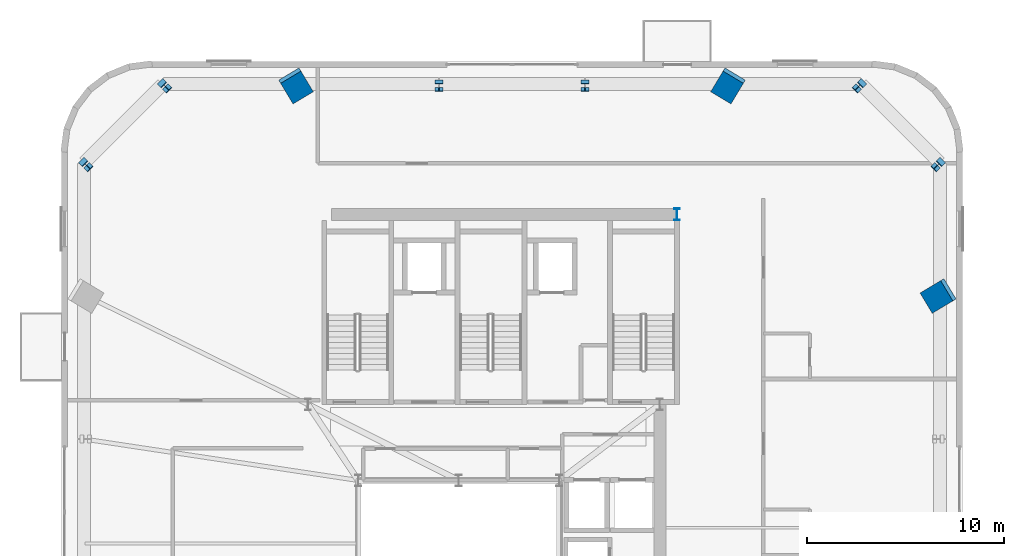
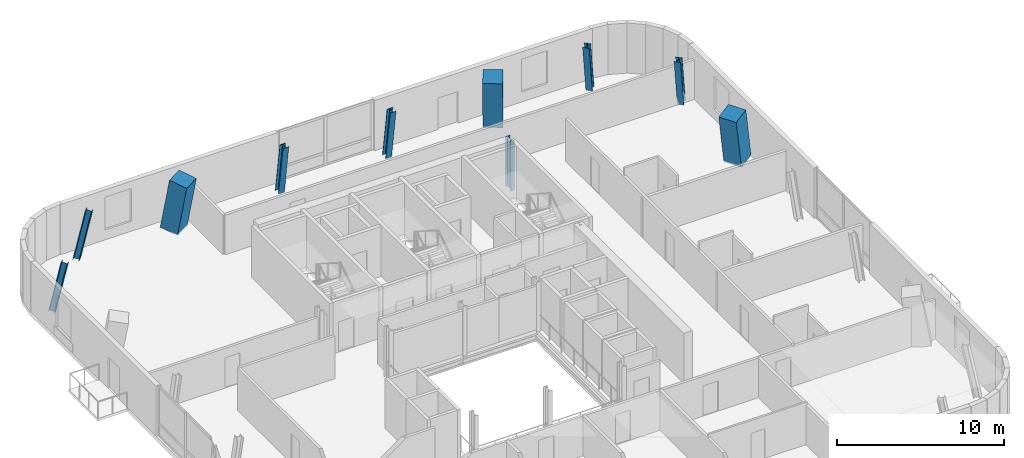
# One storey, part 2 of 15: 10 columns.
"""IFC4 building model written with IfcOpenShell, lengths in metres."""

import ifcopenshell
import ifcopenshell.guid

model = None  # the IFC model being written
_history = None  # IfcOwnerHistory: only IFC2X3 demands one
_inside = {}  # id of a spatial element -> (the spatial element, [elements in it])
_under = {}  # id of a project, library or spatial element -> (it, [spatial elements below it])
_declared = {}  # id of a project -> (the project, [libraries it declares])
_typed = {}  # id of a type object -> (the type object, [elements of that type])
_made_of = {}  # id of a material, layer set ... -> (it, [elements and type objects made of it])


def new_model(schema):
    """Start an empty IFC model of exactly this schema.

    Asked for "IFC4X3", IfcOpenShell would pick the latest addendum, in which some entities
    have other attributes; the version numbers below select the first issue.
    IFC2X3 requires an IfcOwnerHistory on every rooted entity: one is made here for all.
    """
    global model, _history
    if schema == "IFC4X3":
        model = ifcopenshell.file(schema_version=(4, 3, 0, 0))
    else:
        model = ifcopenshell.file(schema=schema)
    _inside.clear()
    _under.clear()
    _declared.clear()
    _typed.clear()
    _made_of.clear()
    _history = None
    if model.schema == "IFC2X3":
        org = make("IfcOrganization", Name="unknown")
        user = make(
            "IfcPersonAndOrganization",
            ThePerson=make("IfcPerson", FamilyName="unknown"),
            TheOrganization=org,
        )
        app = make(
            "IfcApplication",
            ApplicationDeveloper=org,
            Version="unknown",
            ApplicationFullName="unknown",
            ApplicationIdentifier="unknown",
        )
        _history = make(
            "IfcOwnerHistory",
            OwningUser=user,
            OwningApplication=app,
            ChangeAction="ADDED",
            CreationDate=0,
        )
    return model


def make(cls, **values):
    """One entity of the class cls with the attributes given. An attribute that is None is left unset."""
    return model.create_entity(
        cls, **{name: value for name, value in values.items() if value is not None}
    )


def rooted(cls, **values):
    """An entity with a GlobalId (a new one), such as an element, a storey or a relation."""
    return make(cls, GlobalId=ifcopenshell.guid.new(), OwnerHistory=_history, **values)


def si_unit(unit_type, name, prefix=None):
    """IfcSIUnit, for example si_unit("LENGTHUNIT", "METRE", prefix="MILLI")."""
    return make("IfcSIUnit", UnitType=unit_type, Prefix=prefix, Name=name)


def assignment(units):
    """IfcUnitAssignment: the units of a project."""
    return None if units is None else make("IfcUnitAssignment", Units=units)


def point(xyz):
    """IfcCartesianPoint."""
    return None if xyz is None else make("IfcCartesianPoint", Coordinates=xyz)


def direction(xyz):
    """IfcDirection."""
    return None if xyz is None else make("IfcDirection", DirectionRatios=xyz)


def frame(location, z_axis=None, x_axis=None):
    """IfcAxis2Placement3D, a coordinate frame: its origin and axes. An axis left out is left unset."""
    return make(
        "IfcAxis2Placement3D",
        Location=point(location),
        Axis=direction(z_axis),
        RefDirection=direction(x_axis),
    )


def frame_2d(location, x_axis=None):
    """IfcAxis2Placement2D, a coordinate frame in the plane: its origin and x axis."""
    return make(
        "IfcAxis2Placement2D", Location=point(location), RefDirection=direction(x_axis)
    )


def origin():
    """The frame at (0, 0, 0) with its axes left unset."""
    return frame((0.0, 0.0, 0.0))


def origin_2d():
    """The frame at (0, 0) in the plane with its x axis left unset."""
    return frame_2d((0.0, 0.0))


def place(relative_to, where):
    """IfcLocalPlacement: puts the frame where relative to a parent placement (None: the world)."""
    return make(
        "IfcLocalPlacement", PlacementRelTo=relative_to, RelativePlacement=where
    )


def context(
    kind, dimensions, precision=None, world=None, true_north=None, identifier=None
):
    """IfcGeometricRepresentationContext, for example the 3D "Model" context."""
    return make(
        "IfcGeometricRepresentationContext",
        ContextIdentifier=identifier,
        ContextType=kind,
        CoordinateSpaceDimension=dimensions,
        Precision=precision,
        WorldCoordinateSystem=world,
        TrueNorth=true_north,
    )


def subcontext(parent, identifier, kind, view, scale=None):
    """IfcGeometricRepresentationSubContext, for example "Body" below "Model"."""
    return make(
        "IfcGeometricRepresentationSubContext",
        ContextIdentifier=identifier,
        ContextType=kind,
        ParentContext=parent,
        TargetScale=scale,
        TargetView=view,
    )


def project(units=None, contexts=None):
    """IfcProject with its units and contexts."""
    return rooted(
        "IfcProject",
        Name="project",
        RepresentationContexts=contexts,
        UnitsInContext=assignment(units),
    )


def spatial(cls, under=None, at=None, **own):
    """A site, building, storey or space (cls), placed at a placement, below another one or the project."""
    s = rooted(cls, ObjectPlacement=at, **own)
    if under is not None:
        _under.setdefault(under.id(), (under, []))[1].append(s)
    return s


def profile(cls, at=None, kind="AREA", **sizes):
    """A parametric profile (cls). Its sizes go by their IFC names, for example OverallWidth=200.0."""
    return make(cls, ProfileType=kind, Position=at, **sizes)


def rectangle(**sizes):
    """IfcRectangleProfileDef."""
    return profile("IfcRectangleProfileDef", **sizes)


def i_section(**sizes):
    """IfcIShapeProfileDef."""
    return profile("IfcIShapeProfileDef", **sizes)


def extrude(swept, where, along, depth):
    """IfcExtrudedAreaSolid: the profile swept, set in the frame where, extruded along a direction by depth."""
    return make(
        "IfcExtrudedAreaSolid",
        SweptArea=swept,
        Position=where,
        ExtrudedDirection=direction(along),
        Depth=depth,
    )


def shape(context_of_items, identifier, shape_type, items):
    """IfcShapeRepresentation: the items that make up one representation, for example the "Body"."""
    return make(
        "IfcShapeRepresentation",
        ContextOfItems=context_of_items,
        RepresentationIdentifier=identifier,
        RepresentationType=shape_type,
        Items=items,
    )


def source(mapping_origin, context_of_items, identifier, shape_type, items):
    """IfcRepresentationMap: a shape defined once, which mapped items show again and again."""
    return make(
        "IfcRepresentationMap",
        MappingOrigin=mapping_origin,
        MappedRepresentation=shape(context_of_items, identifier, shape_type, items),
    )


def transform(
    local_origin,
    x_axis=None,
    y_axis=None,
    z_axis=None,
    scale=None,
    scale2=None,
    scale3=None,
    uniform=True,
):
    """IfcCartesianTransformationOperator3D, or its non-uniform kind. x_axis, y_axis, z_axis: its Axis1, 2, 3."""
    if uniform:
        return make(
            "IfcCartesianTransformationOperator3D",
            Axis1=direction(x_axis),
            Axis2=direction(y_axis),
            LocalOrigin=point(local_origin),
            Scale=scale,
            Axis3=direction(z_axis),
        )
    return make(
        "IfcCartesianTransformationOperator3DnonUniform",
        Axis1=direction(x_axis),
        Axis2=direction(y_axis),
        LocalOrigin=point(local_origin),
        Scale=scale,
        Axis3=direction(z_axis),
        Scale2=scale2,
        Scale3=scale3,
    )


def mapped(mapping_source, mapping_target):
    """IfcMappedItem: shows the shape of a source again, moved by a transform."""
    return make(
        "IfcMappedItem", MappingSource=mapping_source, MappingTarget=mapping_target
    )


def material(Name=None, Category=None):
    """IfcMaterial."""
    return make("IfcMaterial", Name=Name, Category=Category)


def material_profile(
    of_material, cross_section, Name=None, Category=None, Priority=None
):
    """IfcMaterialProfile: a cross section and its material."""
    return make(
        "IfcMaterialProfile",
        Name=Name,
        Material=of_material,
        Profile=cross_section,
        Priority=Priority,
        Category=Category,
    )


def profile_set(profiles, Name=None, composite=None):
    """IfcMaterialProfileSet."""
    return make(
        "IfcMaterialProfileSet",
        Name=Name,
        MaterialProfiles=profiles,
        CompositeProfile=composite,
    )


def made_of(thing, what):
    """Note that an element or type object is made of a material, layer set ...; save() writes the relation."""
    if what is not None:
        _made_of.setdefault(what.id(), (what, []))[1].append(thing)
    return thing


def type_object(cls, material=None, **own):
    """A type object (cls), such as IfcWallType, which elements share."""
    return made_of(rooted(cls, **own), material)


def element(
    cls,
    number,
    at=None,
    inside=None,
    cuts=None,
    type_object=None,
    material=None,
    context=None,
    identifier="Body",
    shape_type=None,
    held_by="IfcProductDefinitionShape",
    body=None,
    shapes=None,
    **own,
):
    """One element of the class cls, such as IfcWall. Its Tag is "e" and its number.

    at: its placement. inside: the storey or other place that contains it. cuts: it is an
    opening in that element (IfcRelVoidsElement). A single representation is given by context,
    identifier, shape_type and body (its items); several are given by shapes. held_by: the class
    of the entity that holds the representations. save() writes the other relations.
    """
    e = rooted(cls, Tag="e%d" % number, ObjectPlacement=at, **own)
    if body is not None:
        shapes = [shape(context, identifier, shape_type, body)]
    if shapes is not None:
        e.Representation = make(held_by, Representations=shapes)
    if inside is not None:
        _inside.setdefault(inside.id(), (inside, []))[1].append(e)
    if cuts is not None:
        rooted(
            "IfcRelVoidsElement", RelatingBuildingElement=cuts, RelatedOpeningElement=e
        )
    if type_object is not None:
        _typed.setdefault(type_object.id(), (type_object, []))[1].append(e)
    return made_of(e, material)


def aggregate(whole, parts):
    """IfcRelAggregates: a whole, such as a stair, and the parts it consists of."""
    return rooted("IfcRelAggregates", RelatingObject=whole, RelatedObjects=parts)


def save(model, path):
    """Write the relations noted so far, then the file.

    IfcRelAggregates (storeys below a building ...), IfcRelContainedInSpatialStructure (elements
    in a storey), IfcRelDefinesByType, IfcRelAssociatesMaterial and IfcRelDeclares: one each for
    every whole, place, type object, material and project.
    """
    for whole, parts in _under.values():
        aggregate(whole, parts)
    for where, things in _inside.values():
        rooted(
            "IfcRelContainedInSpatialStructure",
            RelatedElements=things,
            RelatingStructure=where,
        )
    for kind, things in _typed.values():
        rooted("IfcRelDefinesByType", RelatedObjects=things, RelatingType=kind)
    for what, things in _made_of.values():
        rooted("IfcRelAssociatesMaterial", RelatedObjects=things, RelatingMaterial=what)
    for by, libraries in _declared.values():
        rooted("IfcRelDeclares", RelatingContext=by, RelatedDefinitions=libraries)
    model.write(path)


model = new_model("IFC4")

# Units and contexts
model_context = context("Model", 3, precision=1e-05, world=origin(), true_north=direction((0.0, 1.0)))
body_context = subcontext(model_context, "Body", "Model", "MODEL_VIEW")
ifc_project = project(units=[si_unit("LENGTHUNIT", "METRE"), si_unit("AREAUNIT", "SQUARE_METRE"), si_unit("VOLUMEUNIT", "CUBIC_METRE"), si_unit("PLANEANGLEUNIT", "RADIAN"), si_unit("MASSUNIT", "GRAM", prefix="KILO")], contexts=[model_context])

# Site, building, storey
site_placement = place(None, origin())
site = spatial("IfcSite", under=ifc_project, at=site_placement, CompositionType="ELEMENT")
building_placement = place(site_placement, origin())
building = spatial("IfcBuilding", under=site, at=building_placement, Name="Vardaveli Station Tower", CompositionType="ELEMENT")
storey_placement = place(building_placement, frame((0.0, 0.0, 258.5)))
storey = spatial("IfcBuildingStorey", under=building, at=storey_placement, Name="L66", CompositionType="ELEMENT", Elevation=258.5)

# Columns
ifc_material_1 = material(Name="Structural steel S460M", Category="steel")
ifc_material_profile_1 = material_profile(ifc_material_1, i_section(OverallWidth=0.300048828125, OverallDepth=0.60009765625, WebThickness=0.015380859375, FlangeThickness=0.030029296875, FilletRadius=0.027099609375, at=origin_2d()), Name="HEB 600")
ifc_profile_set_1 = profile_set([ifc_material_profile_1], Name="Structural steel S460M")
column_type_1 = type_object("IfcColumnType", Name="COL-HEB600", PredefinedType="COLUMN", material=ifc_profile_set_1)
shared_shape_1 = source(origin(), body_context, "Body", "SweptSolid", [
    extrude(i_section(OverallWidth=0.300048828125, OverallDepth=0.60009765625, WebThickness=0.015380859375, FlangeThickness=0.030029296875, FilletRadius=0.027099609375, at=origin_2d()), origin(), (0.0, 0.0, 1.0), 3.64990234375),
])
column_placement = place(storey_placement, frame((47.3701171875, 40.300048828125, 0.0), z_axis=(0.0, 0.0, 1.0), x_axis=(1.0, 0.0, 0.0)))
element("IfcColumn", 1, at=column_placement, inside=storey, type_object=column_type_1, Name="COL-L66-CC3", PredefinedType="COLUMN", context=body_context, shape_type="MappedRepresentation", body=[
    mapped(shared_shape_1, transform((0.0, 0.0, 0.0), scale=1.0)),
])
ifc_material_2 = material(Name="Concrete C50/60", Category="concrete")
ifc_material_profile_2 = material_profile(ifc_material_2, rectangle(XDim=1.199951171875, YDim=1.199951171875, at=origin_2d()), Name="MC 1200x1200")
ifc_profile_set_2 = profile_set([ifc_material_profile_2], Name="Concrete C50/60")
column_type_2 = type_object("IfcColumnType", Name="COL-MC-1200", PredefinedType="COLUMN", material=ifc_profile_set_2)
shared_shape_2 = source(origin(), body_context, "Body", "SweptSolid", [
    extrude(rectangle(XDim=1.199951171875, YDim=1.199951171875, at=origin_2d()), origin(), (0.0, 0.0, 1.0), 3.703857421875),
])
for number, where, z_axis, x_axis, name in (
    (2, (60.7099609375, 36.216064453125, 0.0), (-0.145805403858, -0.087470059186, 0.98543887327), (0.514438743924, -0.857527130037, 0.0), "COL-L66-MC4"),
    (3, (50.01611328125, 46.909912109375, 0.0), (-0.087536311046, -0.145740047983, 0.985442658232), (0.857253357467, -0.51489482529, 0.0), "COL-L66-MC5"),
    (4, (27.98388671875, 46.909912109375, 0.0), (0.087536311046, -0.145740047983, 0.985442658232), (0.857253357467, 0.51489482529, 0.0), "COL-L66-MC6"),
):
    element("IfcColumn", number, at=place(storey_placement, frame(where, z_axis=z_axis, x_axis=x_axis)), inside=storey, type_object=column_type_2, Name=name, PredefinedType="COLUMN", context=body_context, shape_type="MappedRepresentation", body=[
        mapped(shared_shape_2, transform((0.0, 0.0, 0.0), scale=1.0)),
    ])
ifc_material_profile_3 = material_profile(ifc_material_1, i_section(OverallWidth=0.405029296875, OverallDepth=0.403076171875, WebThickness=0.017822265625, FlangeThickness=0.02783203125, FilletRadius=0.014892578125, at=origin_2d()), Name="HD 400x287")
ifc_profile_set_3 = profile_set([ifc_material_profile_3], Name="Structural steel S460M")
column_type_3 = type_object("IfcColumnType", Name="COL-HD287", PredefinedType="COLUMN", material=ifc_profile_set_3)
shared_shape_3 = source(origin(), body_context, "Body", "SweptSolid", [
    extrude(i_section(OverallWidth=0.405029296875, OverallDepth=0.403076171875, WebThickness=0.017822265625, FlangeThickness=0.02783203125, FilletRadius=0.014892578125, at=origin_2d()), origin(), (0.0, 0.0, 1.0), 3.72900390625),
])
for number, where, z_axis, x_axis, name in (
    (5, (60.7099609375, 42.909912109375, 0.0), (-0.144824713674, -0.14475924138, 0.978810790881), (0.706946892718, -0.70726663351, 0.0), "COL-L66-PC08"),
    (6, (56.7099609375, 46.909912109375, 0.0), (-0.144824713674, -0.14475924138, 0.978810790881), (0.706946892718, -0.70726663351, 0.0), "COL-L66-PC09"),
    (7, (21.2900390625, 46.909912109375, 0.0), (0.144824713674, -0.14475924138, 0.978810790881), (0.706946892718, 0.70726663351, 0.0), "COL-L66-PC12"),
    (8, (17.2900390625, 42.909912109375, 0.0), (0.144824713674, -0.14475924138, 0.978810790881), (0.706946892718, 0.70726663351, 0.0), "COL-L66-PC13"),
):
    element("IfcColumn", number, at=place(storey_placement, frame(where, z_axis=z_axis, x_axis=x_axis)), inside=storey, type_object=column_type_3, Name=name, PredefinedType="COLUMN", context=body_context, shape_type="MappedRepresentation", body=[
        mapped(shared_shape_3, transform((0.0, 0.0, 0.0), scale=1.0)),
    ])
shared_shape_4 = source(origin(), body_context, "Body", "SweptSolid", [
    extrude(i_section(OverallWidth=0.405029296875, OverallDepth=0.403076171875, WebThickness=0.017822265625, FlangeThickness=0.02783203125, FilletRadius=0.014892578125, at=origin_2d()), origin(), (0.0, 0.0, 1.0), 3.689697265625),
])
for number, where, z_axis, x_axis, name in (
    (9, (42.699951171875, 46.909912109375, 0.0), (0.0, -0.146301651829, 0.989240024803), (1.0, 0.0, 0.0), "COL-L66-PC10"),
    (10, (35.300048828125, 46.909912109375, 0.0), (0.0, -0.146301651829, 0.989240024803), (1.0, 0.0, 0.0), "COL-L66-PC11"),
):
    element("IfcColumn", number, at=place(storey_placement, frame(where, z_axis=z_axis, x_axis=x_axis)), inside=storey, type_object=column_type_3, Name=name, PredefinedType="COLUMN", context=body_context, shape_type="MappedRepresentation", body=[
        mapped(shared_shape_4, transform((0.0, 0.0, 0.0), scale=1.0)),
    ])

save(model, "model.ifc")
